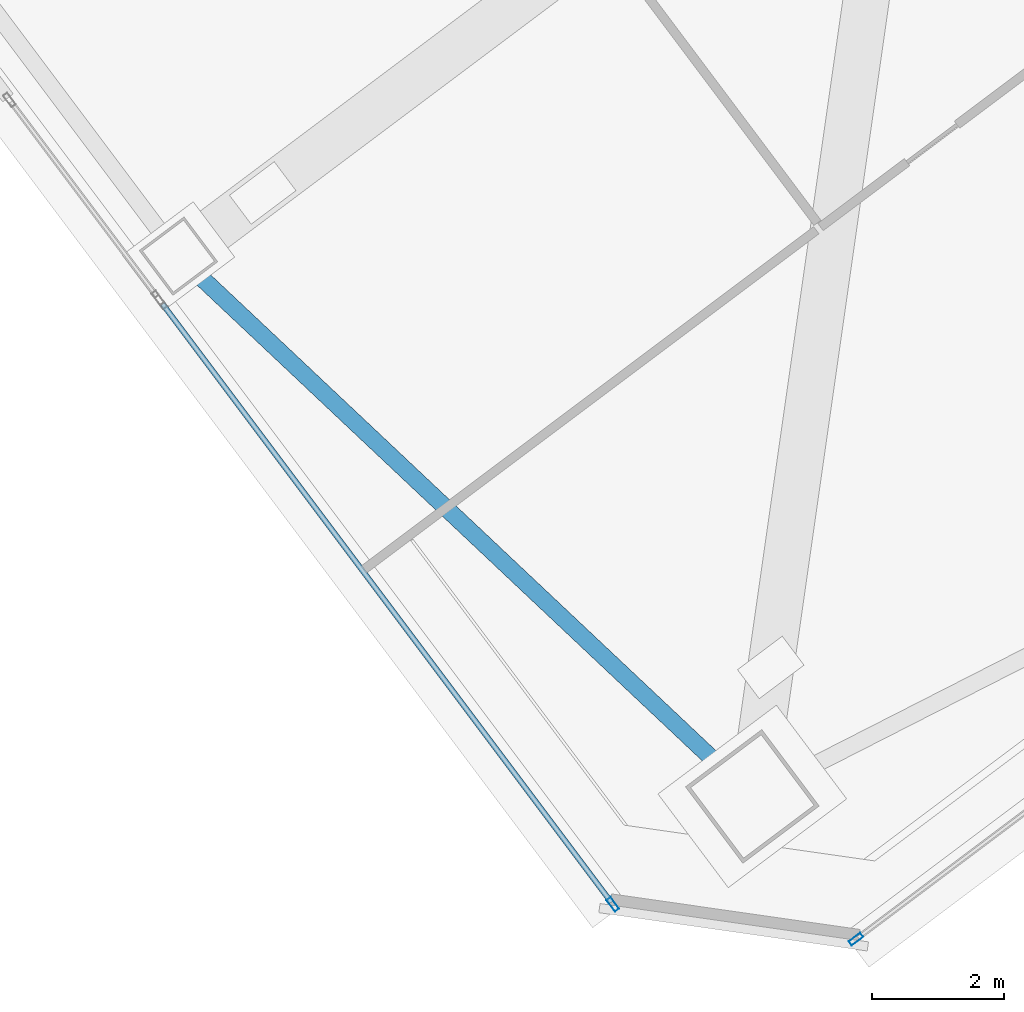
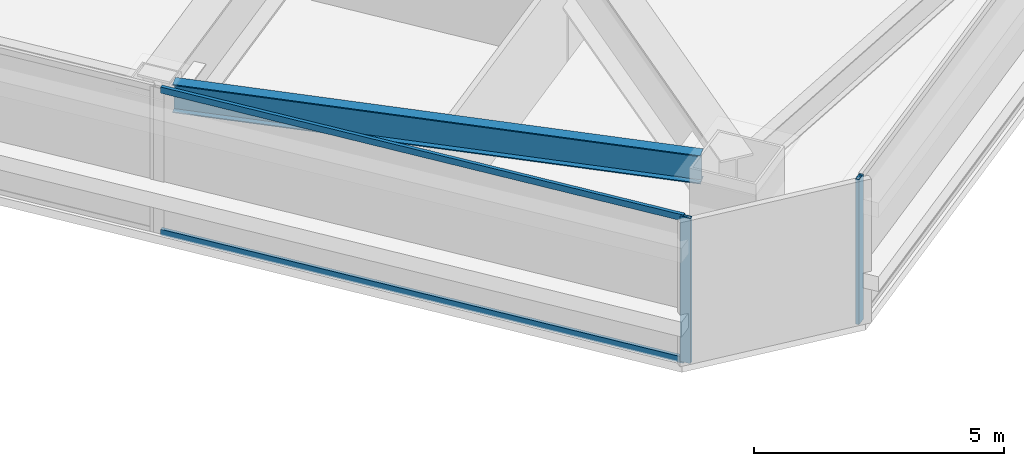
# One storey, part 18 of 49: 4 members, 1 beam, 2 elements without a shape of their own.
"""IFC4 building model written with IfcOpenShell, lengths in metres."""

from ifc_helpers import new_model, si_unit, direction, frame, origin, origin_2d, place, context, subcontext, project, spatial, hollow_rectangle, i_section, extrude, material, material_profile, profile_set, type_object, element, aggregate, save


model = new_model("IFC4")

# Units and contexts
model_context = context("Model", 3, precision=1e-05, world=origin(), true_north=direction((0.0, 1.0)))
body_context = subcontext(model_context, "Body", "Model", "MODEL_VIEW")
ifc_project = project(units=[si_unit("LENGTHUNIT", "METRE"), si_unit("AREAUNIT", "SQUARE_METRE"), si_unit("VOLUMEUNIT", "CUBIC_METRE"), si_unit("PLANEANGLEUNIT", "RADIAN"), si_unit("MASSUNIT", "GRAM", prefix="KILO")], contexts=[model_context])

# Site, building, storey
site_placement = place(None, origin())
site = spatial("IfcSite", under=ifc_project, at=site_placement, CompositionType="ELEMENT")
building_placement = place(site_placement, origin())
building = spatial("IfcBuilding", under=site, at=building_placement, Name="Tashvorn Skyway Center", CompositionType="ELEMENT")
storey_placement = place(building_placement, frame((0.0, 0.0, 106.25)))
storey = spatial("IfcBuildingStorey", under=building, at=storey_placement, Name="L28", CompositionType="ELEMENT", Elevation=106.25)

# Beam
ifc_material_1 = material(Name="Steel ASTM A992 Grade 50", Category="steel")
ifc_material_profile_1 = material_profile(ifc_material_1, i_section(OverallWidth=0.256103515625, OverallDepth=0.693115234375, WebThickness=0.014404296875, FlangeThickness=0.023681640625, at=origin_2d()), Name="W27X114")
ifc_profile_set_1 = profile_set([ifc_material_profile_1], Name="Steel ASTM A992 Grade 50")
beam_type = type_object("IfcBeamType", Name="BM-SPANDREL-W27X114", PredefinedType="SPANDREL", material=ifc_profile_set_1)
beam_placement = place(storey_placement, frame((102.145751953125, 15.842041015625, 2.903564453125), z_axis=(0.728086883893, -0.685484857238, 0.0), x_axis=(0.685484857238, 0.728086883893, 0.0)))
element("IfcBeam", 1, at=beam_placement, inside=storey, type_object=beam_type, Name="Tower 2 L28 Spandrel Beam 12", PredefinedType="SPANDREL", context=body_context, shape_type="SweptSolid", body=[
    extrude(i_section(OverallWidth=0.256103515625, OverallDepth=0.693115234375, WebThickness=0.014404296875, FlangeThickness=0.023681640625, at=origin_2d()), origin(), (0.0, 0.0, 1.0), 10.8369140625),
])

# Curtain wall, member
ifc_material_2 = material(Name="Thermally broken bronze-anodized aluminium 6063-T6", Category="aluminium")
curtain_wall_type = type_object("IfcCurtainWallType", Name="CW-CW-Z2", PredefinedType="NOTDEFINED", material=ifc_material_2)
curtain_wall_1_placement = place(storey_placement, origin())
curtain_wall_1 = element("IfcCurtainWall", 2, at=curtain_wall_1_placement, inside=storey, type_object=curtain_wall_type, Name="Tower 2 L28 South Curtain Wall R", PredefinedType="NOTDEFINED")
ifc_material_profile_2 = material_profile(ifc_material_2, hollow_rectangle(XDim=0.080078125, YDim=0.219970703125, WallThickness=0.0048828125, at=origin_2d()), Name="ALU-MULL-80x220")
ifc_profile_set_2 = profile_set([ifc_material_profile_2], Name="Thermally broken bronze-anodized aluminium 6063-T6")
member_type_1 = type_object("IfcMemberType", Name="CWM-CW-Z2", PredefinedType="MULLION", material=ifc_profile_set_2)
member_1_placement = place(storey_placement, frame((112.135986328125, 5.751953125, 0.0), z_axis=(0.0, 0.0, 1.0), x_axis=(0.600000000002, -0.799999999998, 0.0)))
member_1 = element("IfcMember", 3, at=member_1_placement, type_object=member_type_1, Name="CW-Z2 mullion 2", PredefinedType="MULLION", context=body_context, shape_type="SweptSolid", body=[
    extrude(hollow_rectangle(XDim=0.080078125, YDim=0.219970703125, WallThickness=0.0048828125, at=origin_2d()), origin(), (0.0, 0.0, 1.0), 3.550048828125),
])
aggregate(curtain_wall_1, [member_1])

# Curtain wall, members
curtain_wall_2_placement = place(storey_placement, origin())
curtain_wall_2 = element("IfcCurtainWall", 4, at=curtain_wall_2_placement, inside=storey, type_object=curtain_wall_type, Name="Tower 2 L28 West Unitised Curtain Wall Glazing Group 1", PredefinedType="NOTDEFINED")
member_2_placement = place(storey_placement, frame((108.43994140625, 6.280029296875, 0.0), z_axis=(0.0, 0.0, 1.0), x_axis=(-0.799999999998, -0.600000000002, 0.0)))
member_2 = element("IfcMember", 5, at=member_2_placement, type_object=member_type_1, Name="CW-Z2 mullion 1", PredefinedType="MULLION", context=body_context, shape_type="SweptSolid", body=[
    extrude(hollow_rectangle(XDim=0.080078125, YDim=0.219970703125, WallThickness=0.0048828125, at=origin_2d()), origin(), (0.0, 0.0, 1.0), 3.550048828125),
])
ifc_material_profile_3 = material_profile(ifc_material_2, hollow_rectangle(XDim=0.080078125, YDim=0.14990234375, WallThickness=0.00439453125, at=origin_2d()), Name="ALU-TRAN-80x150")
ifc_profile_set_3 = profile_set([ifc_material_profile_3], Name="Thermally broken bronze-anodized aluminium 6063-T6")
member_type_2 = type_object("IfcMemberType", Name="CWT-CW-Z2", PredefinedType="USERDEFINED", material=ifc_profile_set_3)
member_3_placement = place(storey_placement, frame((108.416015625, 6.31201171875, 0.0400390625), z_axis=(-0.6, 0.8, 0.0), x_axis=(-0.8, -0.6, 0.0)))
member_3 = element("IfcMember", 6, at=member_3_placement, type_object=member_type_2, Name="CW-Z2 transom 1.1", ObjectType="TRANSOM", PredefinedType="USERDEFINED", context=body_context, shape_type="SweptSolid", body=[
    extrude(hollow_rectangle(XDim=0.080078125, YDim=0.14990234375, WallThickness=0.00439453125, at=origin_2d()), origin(), (0.0, 0.0, 1.0), 11.35986328125),
])
member_4_placement = place(storey_placement, frame((108.416015625, 6.31201171875, 3.510009765625), z_axis=(-0.6, 0.8, 0.0), x_axis=(-0.8, -0.6, 0.0)))
member_4 = element("IfcMember", 7, at=member_4_placement, type_object=member_type_2, Name="CW-Z2 transom 1.2", ObjectType="TRANSOM", PredefinedType="USERDEFINED", context=body_context, shape_type="SweptSolid", body=[
    extrude(hollow_rectangle(XDim=0.080078125, YDim=0.14990234375, WallThickness=0.00439453125, at=origin_2d()), origin(), (0.0, 0.0, 1.0), 11.35986328125),
])
aggregate(curtain_wall_2, [member_2, member_3, member_4])

save(model, "model.ifc")
